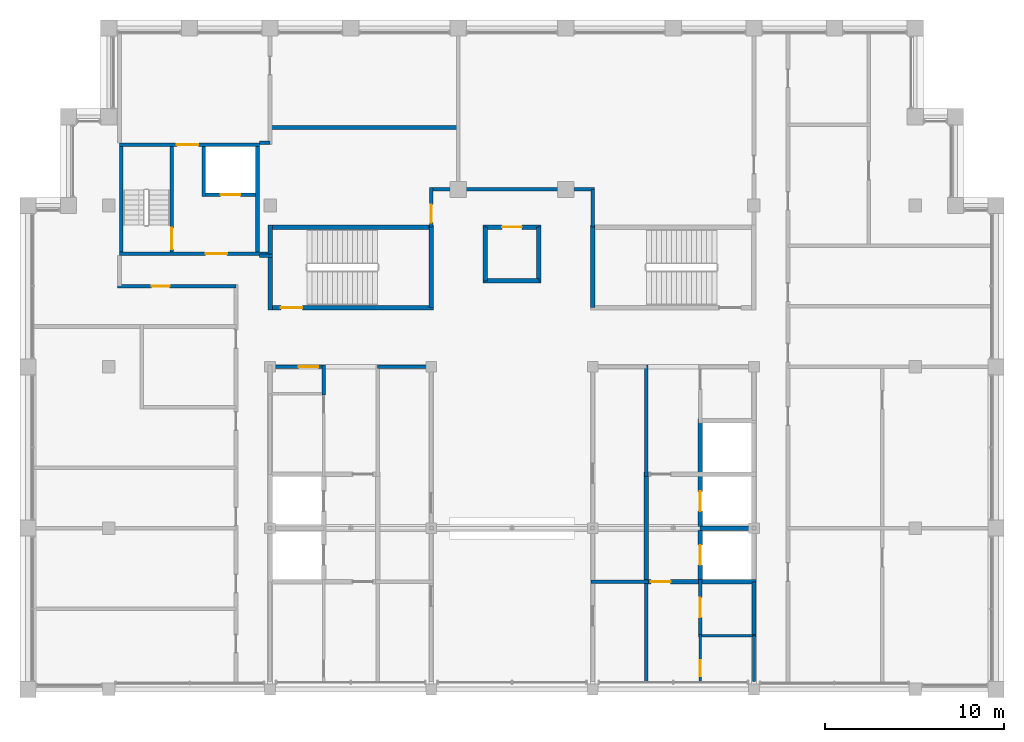
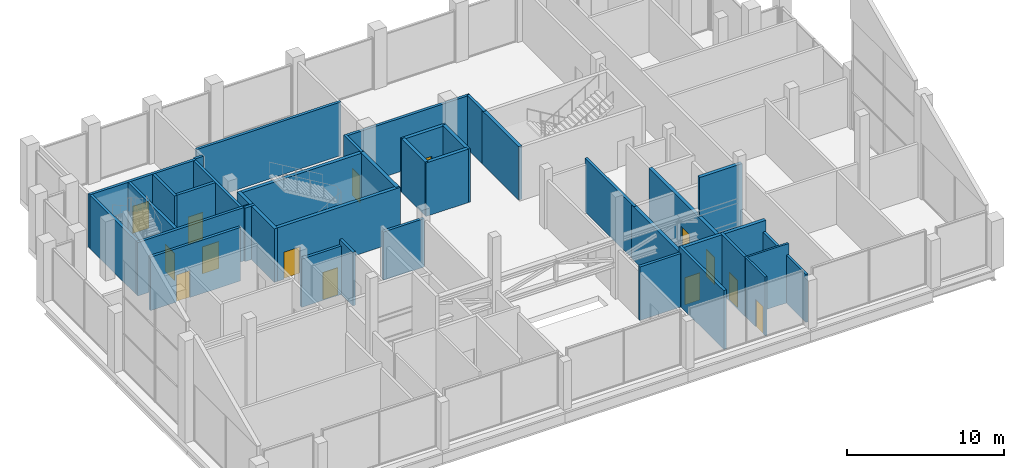
# One storey, part 11 of 14: 38 walls, 14 doors, 14 openings.
"""IFC4 building model written with IfcOpenShell, lengths in metres."""

from ifc_helpers import new_model, si_unit, direction, frame, frame_2d, origin, place, context, subcontext, project, spatial, rectangle, extrude, material, layer, layer_set, type_object, element, fill, save


model = new_model("IFC4")

# Units and contexts
model_context = context("Model", 3, precision=1e-05, world=origin(), true_north=direction((0.0, 1.0)))
body_context = subcontext(model_context, "Body", "Model", "MODEL_VIEW")
ifc_project = project(units=[si_unit("LENGTHUNIT", "METRE"), si_unit("AREAUNIT", "SQUARE_METRE"), si_unit("VOLUMEUNIT", "CUBIC_METRE"), si_unit("PLANEANGLEUNIT", "RADIAN"), si_unit("MASSUNIT", "GRAM", prefix="KILO")], contexts=[model_context])

# Site, building, storey
site_placement = place(None, origin())
site = spatial("IfcSite", under=ifc_project, at=site_placement, CompositionType="ELEMENT")
building_placement = place(site_placement, origin())
building = spatial("IfcBuilding", under=site, at=building_placement, Name="Corbelhall Arena Tower", CompositionType="ELEMENT")
storey_placement = place(building_placement, frame((0.0, 0.0, 376.0)))
storey = spatial("IfcBuildingStorey", under=building, at=storey_placement, Name="L81", CompositionType="ELEMENT", Elevation=376.0)

# Wall, opening, door
ifc_material_1 = material(Name="Gypsum board on steel stud, acoustic", Category="steel")
ifc_layer_1 = layer(ifc_material_1, 0.199951171875)
ifc_layer_set_1 = layer_set([ifc_layer_1], Name="IN-W-DM200")
wall_type_1 = type_object("IfcWallType", Name="IN-W-DM200", PredefinedType="PARTITIONING", material=ifc_layer_set_1)
wall_1_placement = place(storey_placement, frame((-15.39990234375, 13.5, 0.0), z_axis=(0.0, 0.0, 1.0), x_axis=(-1.0, 0.0, 0.0)))
wall_1 = element("IfcWall", 1, at=wall_1_placement, inside=storey, type_object=wall_type_1, Name="Partition 010", PredefinedType="PARTITIONING", context=body_context, shape_type="SweptSolid", body=[
    extrude(rectangle(XDim=6.60009765625, YDim=0.199951171875, at=frame_2d((3.300048828125, 0.0))), origin(), (0.0, 0.0, 1.0), 4.149658203125),
])
opening_1_placement = place(wall_1_placement, frame((3.699951171875, 0.0, 0.0)))
opening_1 = element("IfcOpeningElement", 2, at=opening_1_placement, cuts=wall_1, Name="Opening 35023", PredefinedType="OPENING", context=body_context, shape_type="SweptSolid", body=[
    extrude(rectangle(XDim=1.0, YDim=2.10009765625, at=frame_2d((0.5, 1.050048828125))), frame((0.0, 0.10009765625, 0.0), z_axis=(0.0, -1.0, 0.0), x_axis=(1.0, 0.0, 0.0)), (0.0, 0.0, 1.0), 0.199951171875),
])
ifc_material_2 = material(Name="Steel door set", Category="steel")
door_type_1 = type_object("IfcDoorType", Name="IN-D-SW100", OperationType="NOTDEFINED", PredefinedType="DOOR", material=ifc_material_2)
door_1_placement = place(opening_1_placement, origin())
door_1 = element("IfcDoor", 3, at=door_1_placement, inside=storey, type_object=door_type_1, Name="Door 023", OperationType="SINGLE_SWING_RIGHT", OverallHeight=2.10009765625, OverallWidth=1.0, PredefinedType="DOOR", context=body_context, shape_type="SweptSolid", body=[
    extrude(rectangle(XDim=1.0, YDim=2.10009765625, at=frame_2d((0.5, 1.050048828125))), frame((0.0, 0.02490234375, 0.0), z_axis=(0.0, -1.0, 0.0), x_axis=(1.0, 0.0, 0.0)), (0.0, 0.0, 1.0), 0.050048828125),
])
fill(opening_1, door_1)

# Walls
wall_2_placement = place(storey_placement, frame((-14.10009765625, 15.199951171875, 0.0), z_axis=(0.0, 0.0, 1.0), x_axis=(1.0, 0.0, 0.0)))
element("IfcWall", 4, at=wall_2_placement, inside=storey, type_object=wall_type_1, Name="Partition 011", PredefinedType="PARTITIONING", context=body_context, shape_type="SweptSolid", body=[
    extrude(rectangle(XDim=0.72509765625, YDim=0.199951171875, at=frame_2d((0.362548828125, 0.0))), origin(), (0.0, 0.0, 1.0), 4.149658203125),
])
wall_3_placement = place(storey_placement, frame((-13.5, 21.5, 0.0), z_axis=(0.0, 0.0, 1.0), x_axis=(-1.0, 0.0, 0.0)))
element("IfcWall", 5, at=wall_3_placement, inside=storey, type_object=wall_type_1, Name="Partition 012", PredefinedType="PARTITIONING", context=body_context, shape_type="SweptSolid", body=[
    extrude(rectangle(XDim=0.60009765625, YDim=0.199951171875, at=frame_2d((0.300048828125, 0.0))), origin(), (0.0, 0.0, 1.0), 4.149658203125),
])
wall_4_placement = place(storey_placement, frame((-13.5, 22.35009765625, 0.0), z_axis=(0.0, 0.0, 1.0), x_axis=(1.0, 0.0, 0.0)))
element("IfcWall", 6, at=wall_4_placement, inside=storey, type_object=wall_type_1, Name="Partition 013", PredefinedType="PARTITIONING", context=body_context, shape_type="SweptSolid", body=[
    extrude(rectangle(XDim=10.60009765625, YDim=0.199951171875, at=frame_2d((5.300048828125, 0.0))), origin(), (0.0, 0.0, 1.0), 4.149658203125),
])

# Wall, opening, door
wall_5_placement = place(storey_placement, frame((-4.5, 16.800048828125, 0.0), z_axis=(0.0, 0.0, 1.0), x_axis=(0.0, 1.0, 0.0)))
wall_5 = element("IfcWall", 7, at=wall_5_placement, inside=storey, type_object=wall_type_1, Name="Partition 015", PredefinedType="PARTITIONING", context=body_context, shape_type="SweptSolid", body=[
    extrude(rectangle(XDim=2.199951171875, YDim=0.199951171875, at=frame_2d((1.10009765625, 0.0))), origin(), (0.0, 0.0, 1.0), 4.149658203125),
])
opening_2_placement = place(wall_5_placement, frame((0.25, 0.0, 0.0)))
opening_2 = element("IfcOpeningElement", 8, at=opening_2_placement, cuts=wall_5, Name="Opening 35017", PredefinedType="OPENING", context=body_context, shape_type="SweptSolid", body=[
    extrude(rectangle(XDim=1.0, YDim=2.10009765625, at=frame_2d((0.5, 1.050048828125))), frame((0.0, 0.10009765625, 0.0), z_axis=(0.0, -1.0, 0.0), x_axis=(1.0, 0.0, 0.0)), (0.0, 0.0, 1.0), 0.199951171875),
])
door_2_placement = place(opening_2_placement, origin())
door_2 = element("IfcDoor", 9, at=door_2_placement, inside=storey, type_object=door_type_1, Name="Door 017", OperationType="SINGLE_SWING_RIGHT", OverallHeight=2.10009765625, OverallWidth=1.0, PredefinedType="DOOR", context=body_context, shape_type="SweptSolid", body=[
    extrude(rectangle(XDim=1.0, YDim=2.10009765625, at=frame_2d((0.5, 1.050048828125))), frame((0.0, 0.02490234375, 0.0), z_axis=(0.0, -1.0, 0.0), x_axis=(1.0, 0.0, 0.0)), (0.0, 0.0, 1.0), 0.050048828125),
])
fill(opening_2, door_2)

# Walls
wall_6_placement = place(storey_placement, frame((-4.5, 18.89990234375, 0.0), z_axis=(0.0, 0.0, 1.0), x_axis=(1.0, 0.0, 0.0)))
element("IfcWall", 10, at=wall_6_placement, inside=storey, type_object=wall_type_1, Name="Partition 016", PredefinedType="PARTITIONING", context=body_context, shape_type="SweptSolid", body=[
    extrude(rectangle(XDim=9.10009765625, YDim=0.199951171875, at=frame_2d((4.550048828125, 0.0))), origin(), (0.0, 0.0, 1.0), 4.149658203125),
])
wall_7_placement = place(storey_placement, frame((4.5, 18.89990234375, 0.0), z_axis=(0.0, 0.0, 1.0), x_axis=(0.0, -1.0, 0.0)))
element("IfcWall", 11, at=wall_7_placement, inside=storey, type_object=wall_type_1, Name="Partition 018", PredefinedType="PARTITIONING", context=body_context, shape_type="SweptSolid", body=[
    extrude(rectangle(XDim=2.099853515625, YDim=0.199951171875, at=frame_2d((1.0498046875, 0.0))), origin(), (0.0, 0.0, 1.0), 4.149658203125),
])

# Wall, opening, door
ifc_material_3 = material(Name="Concrete C40/50", Category="concrete")
ifc_layer_2 = layer(ifc_material_3, 0.199951171875)
ifc_layer_set_2 = layer_set([ifc_layer_2], Name="IN-W-EAR200")
wall_type_2 = type_object("IfcWallType", Name="IN-W-EAR200", PredefinedType="SOLIDWALL", material=ifc_layer_set_2)
wall_8_placement = place(storey_placement, frame((-21.89990234375, 15.300048828125, 0.0), z_axis=(0.0, 0.0, 1.0), x_axis=(1.0, 0.0, 0.0)))
wall_8 = element("IfcWall", 12, at=wall_8_placement, inside=storey, type_object=wall_type_2, Name="Fire service turret wall south", PredefinedType="SOLIDWALL", context=body_context, shape_type="SweptSolid", body=[
    extrude(rectangle(XDim=8.27490234375, YDim=0.199951171875, at=frame_2d((4.137451171875, 0.0))), origin(), (0.0, 0.0, 1.0), 4.149658203125),
])
opening_3_placement = place(wall_8_placement, frame((4.800048828125, 0.0, 0.0)))
opening_3 = element("IfcOpeningElement", 13, at=opening_3_placement, cuts=wall_8, Name="Opening E352", PredefinedType="OPENING", context=body_context, shape_type="SweptSolid", body=[
    extrude(rectangle(XDim=1.199951171875, YDim=2.10009765625, at=frame_2d((0.60009765625, 1.050048828125))), frame((0.0, 0.10009765625, 0.0), z_axis=(0.0, -1.0, 0.0), x_axis=(1.0, 0.0, 0.0)), (0.0, 0.0, 1.0), 0.199951171875),
])
door_type_2 = type_object("IfcDoorType", Name="IN-D-ST120", OperationType="NOTDEFINED", PredefinedType="DOOR", material=ifc_material_2)
door_3_placement = place(opening_3_placement, origin())
door_3 = element("IfcDoor", 14, at=door_3_placement, inside=storey, type_object=door_type_2, Name="Door from fire service lift lobby to circulation", OperationType="SINGLE_SWING_RIGHT", OverallHeight=2.10009765625, OverallWidth=1.199951171875, PredefinedType="DOOR", context=body_context, shape_type="SweptSolid", body=[
    extrude(rectangle(XDim=1.199951171875, YDim=2.10009765625, at=frame_2d((0.60009765625, 1.050048828125))), frame((0.0, 0.02490234375, 0.0), z_axis=(0.0, -1.0, 0.0), x_axis=(1.0, 0.0, 0.0)), (0.0, 0.0, 1.0), 0.050048828125),
])
fill(opening_3, door_3)

wall_9_placement = place(storey_placement, frame((-21.89990234375, 21.39990234375, 0.0), z_axis=(0.0, 0.0, 1.0), x_axis=(1.0, 0.0, 0.0)))
wall_9 = element("IfcWall", 15, at=wall_9_placement, inside=storey, type_object=wall_type_2, Name="Fire service turret wall north", PredefinedType="SOLIDWALL", context=body_context, shape_type="SweptSolid", body=[
    extrude(rectangle(XDim=7.7998046875, YDim=0.199951171875, at=frame_2d((3.89990234375, 0.0))), origin(), (0.0, 0.0, 1.0), 4.149658203125),
])
opening_4_placement = place(wall_9_placement, frame((3.199951171875, 0.0, 0.0)))
opening_4 = element("IfcOpeningElement", 16, at=opening_4_placement, cuts=wall_9, Name="Opening E353", PredefinedType="OPENING", context=body_context, shape_type="SweptSolid", body=[
    extrude(rectangle(XDim=1.199951171875, YDim=2.10009765625, at=frame_2d((0.60009765625, 1.050048828125))), frame((0.0, 0.10009765625, 0.0), z_axis=(0.0, -1.0, 0.0), x_axis=(1.0, 0.0, 0.0)), (0.0, 0.0, 1.0), 0.199951171875),
])
door_4_placement = place(opening_4_placement, origin())
door_4 = element("IfcDoor", 17, at=door_4_placement, inside=storey, type_object=door_type_2, Name="Door from fire service lift lobby to the north gallery", OperationType="SINGLE_SWING_LEFT", OverallHeight=2.10009765625, OverallWidth=1.199951171875, PredefinedType="DOOR", context=body_context, shape_type="SweptSolid", body=[
    extrude(rectangle(XDim=1.199951171875, YDim=2.10009765625, at=frame_2d((0.60009765625, 1.050048828125))), frame((0.0, 0.02490234375, 0.0), z_axis=(0.0, -1.0, 0.0), x_axis=(1.0, 0.0, 0.0)), (0.0, 0.0, 1.0), 0.050048828125),
])
fill(opening_4, door_4)

# Walls
for number, where, z_axis, x_axis, name in (
    (18, (-21.800048828125, 15.39990234375, 0.0), (0.0, 0.0, 1.0), (0.0, 1.0, 0.0), "Fire service turret wall west"),
    (19, (-14.199951171875, 15.39990234375, 0.0), (0.0, 0.0, 1.0), (0.0, 1.0, 0.0), "Fire service turret wall east"),
):
    element("IfcWall", number, at=place(storey_placement, frame(where, z_axis=z_axis, x_axis=x_axis)), inside=storey, type_object=wall_type_2, Name=name, PredefinedType="SOLIDWALL", context=body_context, shape_type="SweptSolid", body=[
        extrude(rectangle(XDim=5.900146484375, YDim=0.199951171875, at=frame_2d((2.9501953125, 0.0))), origin(), (0.0, 0.0, 1.0), 4.149658203125),
    ])

# Wall, opening, door
wall_10_placement = place(storey_placement, frame((-18.989990234375, 15.39990234375, 0.0), z_axis=(0.0, 0.0, 1.0), x_axis=(0.0, 1.0, 0.0)))
wall_10 = element("IfcWall", 20, at=wall_10_placement, inside=storey, type_object=wall_type_2, Name="Fire service turret wall stair", PredefinedType="SOLIDWALL", context=body_context, shape_type="SweptSolid", body=[
    extrude(rectangle(XDim=5.900146484375, YDim=0.199951171875, at=frame_2d((2.9501953125, 0.0))), origin(), (0.0, 0.0, 1.0), 4.149658203125),
])
opening_5_placement = place(wall_10_placement, frame((0.14990234375, 0.0, 0.0)))
opening_5 = element("IfcOpeningElement", 21, at=opening_5_placement, cuts=wall_10, Name="Opening E351", PredefinedType="OPENING", context=body_context, shape_type="SweptSolid", body=[
    extrude(rectangle(XDim=1.199951171875, YDim=2.10009765625, at=frame_2d((0.60009765625, 1.050048828125))), frame((0.0, 0.10009765625, 0.0), z_axis=(0.0, -1.0, 0.0), x_axis=(1.0, 0.0, 0.0)), (0.0, 0.0, 1.0), 0.199951171875),
])
door_5_placement = place(opening_5_placement, origin())
door_5 = element("IfcDoor", 22, at=door_5_placement, inside=storey, type_object=door_type_2, Name="Stair door to fire service lobby", OperationType="SINGLE_SWING_LEFT", OverallHeight=2.10009765625, OverallWidth=1.199951171875, PredefinedType="DOOR", context=body_context, shape_type="SweptSolid", body=[
    extrude(rectangle(XDim=1.199951171875, YDim=2.10009765625, at=frame_2d((0.60009765625, 1.050048828125))), frame((0.0, 0.02490234375, 0.0), z_axis=(0.0, -1.0, 0.0), x_axis=(1.0, 0.0, 0.0)), (0.0, 0.0, 1.0), 0.050048828125),
])
fill(opening_5, door_5)

# Wall
wall_11_placement = place(storey_placement, frame((-17.199951171875, 18.5, 0.0), z_axis=(0.0, 0.0, 1.0), x_axis=(0.0, 1.0, 0.0)))
element("IfcWall", 23, at=wall_11_placement, inside=storey, type_object=wall_type_2, Name="Fire service turret wall hoistway west", PredefinedType="SOLIDWALL", context=body_context, shape_type="SweptSolid", body=[
    extrude(rectangle(XDim=2.800048828125, YDim=0.199951171875, at=frame_2d((1.39990234375, 0.0))), origin(), (0.0, 0.0, 1.0), 4.149658203125),
])

# Wall, opening, door
wall_12_placement = place(storey_placement, frame((-17.10009765625, 18.60009765625, 0.0), z_axis=(0.0, 0.0, 1.0), x_axis=(1.0, 0.0, 0.0)))
wall_12 = element("IfcWall", 24, at=wall_12_placement, inside=storey, type_object=wall_type_2, Name="Fire service turret wall hoistway south", PredefinedType="SOLIDWALL", context=body_context, shape_type="SweptSolid", body=[
    extrude(rectangle(XDim=2.800048828125, YDim=0.199951171875, at=frame_2d((1.39990234375, 0.0))), origin(), (0.0, 0.0, 1.0), 4.149658203125),
])
opening_6_placement = place(wall_12_placement, frame((0.85009765625, 0.0, 0.0)))
opening_6 = element("IfcOpeningElement", 25, at=opening_6_placement, cuts=wall_12, Name="Opening LD", PredefinedType="OPENING", context=body_context, shape_type="SweptSolid", body=[
    extrude(rectangle(XDim=1.10009765625, YDim=2.10009765625, at=frame_2d((0.550048828125, 1.050048828125))), frame((0.0, 0.10009765625, 0.0), z_axis=(0.0, -1.0, 0.0), x_axis=(1.0, 0.0, 0.0)), (0.0, 0.0, 1.0), 0.199951171875),
])
door_type_3 = type_object("IfcDoorType", Name="IN-D-LD110", OperationType="NOTDEFINED", PredefinedType="DOOR", material=ifc_material_2)
door_6_placement = place(opening_6_placement, origin())
door_6 = element("IfcDoor", 26, at=door_6_placement, inside=storey, type_object=door_type_3, Name="Landing door FS1", OperationType="SLIDING_TO_LEFT", OverallHeight=2.10009765625, OverallWidth=1.10009765625, PredefinedType="DOOR", context=body_context, shape_type="SweptSolid", body=[
    extrude(rectangle(XDim=1.10009765625, YDim=2.10009765625, at=frame_2d((0.550048828125, 1.050048828125))), frame((0.0, 0.02490234375, 0.0), z_axis=(0.0, -1.0, 0.0), x_axis=(1.0, 0.0, 0.0)), (0.0, 0.0, 1.0), 0.050048828125),
])
fill(opening_6, door_6)

# Walls
ifc_material_4 = material(Name="Concrete block wall", Category="concrete")
ifc_layer_3 = layer(ifc_material_4, 0.199951171875)
ifc_layer_set_3 = layer_set([ifc_layer_3], Name="IN-W-RS200")
wall_type_3 = type_object("IfcWallType", Name="IN-W-RS200", PredefinedType="SOLIDWALL", material=ifc_layer_set_3)
wall_13_placement = place(storey_placement, frame((-10.5, 7.425048828125, 0.0), z_axis=(0.0, 0.0, 1.0), x_axis=(0.0, 1.0, 0.0)))
element("IfcWall", 27, at=wall_13_placement, inside=storey, type_object=wall_type_3, Name="Partition 030", PredefinedType="SOLIDWALL", context=body_context, shape_type="SweptSolid", body=[
    extrude(rectangle(XDim=1.675048828125, YDim=0.199951171875, at=frame_2d((0.83740234375, 0.0))), origin(), (0.0, 0.0, 1.0), 4.149658203125),
])
wall_14_placement = place(storey_placement, frame((4.39990234375, -3.0, 0.0), z_axis=(0.0, 0.0, 1.0), x_axis=(1.0, 0.0, 0.0)))
element("IfcWall", 28, at=wall_14_placement, inside=storey, type_object=wall_type_3, Name="Partition 036", PredefinedType="SOLIDWALL", context=body_context, shape_type="SweptSolid", body=[
    extrude(rectangle(XDim=3.22509765625, YDim=0.199951171875, at=frame_2d((1.612548828125, 0.0))), origin(), (0.0, 0.0, 1.0), 4.149658203125),
])
wall_15_placement = place(storey_placement, frame((7.5, -2.875, 0.0), z_axis=(0.0, 0.0, 1.0), x_axis=(0.0, -1.0, 0.0)))
element("IfcWall", 29, at=wall_15_placement, inside=storey, type_object=wall_type_3, Name="Partition 039", PredefinedType="SOLIDWALL", context=body_context, shape_type="SweptSolid", body=[
    extrude(rectangle(XDim=5.675048828125, YDim=0.199951171875, at=frame_2d((2.83740234375, 0.0))), origin(), (0.0, 0.0, 1.0), 4.566162109375),
])
wall_16_placement = place(storey_placement, frame((7.5, 9.10009765625, 0.0), z_axis=(0.0, 0.0, 1.0), x_axis=(0.0, -1.0, 0.0)))
element("IfcWall", 30, at=wall_16_placement, inside=storey, type_object=wall_type_3, Name="Partition 040", PredefinedType="SOLIDWALL", context=body_context, shape_type="SweptSolid", body=[
    extrude(rectangle(XDim=6.22509765625, YDim=0.199951171875, at=frame_2d((3.112548828125, 0.0))), origin(), (0.0, 0.0, 1.0), 4.149658203125),
])

# Wall, opening, door
wall_17_placement = place(storey_placement, frame((10.5, -2.875, 0.0), z_axis=(0.0, 0.0, 1.0), x_axis=(0.0, -1.0, 0.0)))
wall_17 = element("IfcWall", 31, at=wall_17_placement, inside=storey, type_object=wall_type_3, Name="Partition 041", PredefinedType="SOLIDWALL", context=body_context, shape_type="SweptSolid", body=[
    extrude(rectangle(XDim=3.199951171875, YDim=0.199951171875, at=frame_2d((1.60009765625, 0.0))), origin(), (0.0, 0.0, 1.0), 4.566162109375),
])
opening_7_placement = place(wall_17_placement, frame((1.0, 0.0, 0.0)))
opening_7 = element("IfcOpeningElement", 32, at=opening_7_placement, cuts=wall_17, Name="Opening 35013", PredefinedType="OPENING", context=body_context, shape_type="SweptSolid", body=[
    extrude(rectangle(XDim=1.10009765625, YDim=2.10009765625, at=frame_2d((0.550048828125, 1.050048828125))), frame((0.0, 0.10009765625, 0.0), z_axis=(0.0, -1.0, 0.0), x_axis=(1.0, 0.0, 0.0)), (0.0, 0.0, 1.0), 0.199951171875),
])
door_type_4 = type_object("IfcDoorType", Name="IN-D-FD110", OperationType="NOTDEFINED", PredefinedType="DOOR", material=ifc_material_2)
door_7_placement = place(opening_7_placement, origin())
door_7 = element("IfcDoor", 33, at=door_7_placement, inside=storey, type_object=door_type_4, Name="Door 013", OperationType="SINGLE_SWING_RIGHT", OverallHeight=2.10009765625, OverallWidth=1.10009765625, PredefinedType="DOOR", context=body_context, shape_type="SweptSolid", body=[
    extrude(rectangle(XDim=1.10009765625, YDim=2.10009765625, at=frame_2d((0.550048828125, 1.050048828125))), frame((0.0, 0.02490234375, 0.0), z_axis=(0.0, -1.0, 0.0), x_axis=(1.0, 0.0, 0.0)), (0.0, 0.0, 1.0), 0.050048828125),
])
fill(opening_7, door_7)

ifc_layer_4 = layer(ifc_material_4, 0.199951171875)
ifc_layer_set_4 = layer_set([ifc_layer_4], Name="IN-W-RS200 under beam 396 mm")
wall_type_4 = type_object("IfcWallType", Name="IN-W-RS200 under beam 396 mm", PredefinedType="SOLIDWALL", material=ifc_layer_set_4)
wall_18_placement = place(storey_placement, frame((-13.5, 9.0, 0.0), z_axis=(0.0, 0.0, 1.0), x_axis=(1.0, 0.0, 0.0)))
wall_18 = element("IfcWall", 34, at=wall_18_placement, inside=storey, type_object=wall_type_4, Name="Partition 029", PredefinedType="SOLIDWALL", context=body_context, shape_type="SweptSolid", body=[
    extrude(rectangle(XDim=3.0, YDim=0.199951171875, at=frame_2d((1.5, 0.0))), origin(), (0.0, 0.0, 1.0), 3.75390625),
])
opening_8_placement = place(wall_18_placement, frame((1.60009765625, 0.0, 0.0)))
opening_8 = element("IfcOpeningElement", 35, at=opening_8_placement, cuts=wall_18, Name="Opening 35007", PredefinedType="OPENING", context=body_context, shape_type="SweptSolid", body=[
    extrude(rectangle(XDim=1.10009765625, YDim=2.10009765625, at=frame_2d((0.550048828125, 1.050048828125))), frame((0.0, 0.10009765625, 0.0), z_axis=(0.0, -1.0, 0.0), x_axis=(1.0, 0.0, 0.0)), (0.0, 0.0, 1.0), 0.199951171875),
])
door_8_placement = place(opening_8_placement, origin())
door_8 = element("IfcDoor", 36, at=door_8_placement, inside=storey, type_object=door_type_4, Name="Door 007", OperationType="SINGLE_SWING_RIGHT", OverallHeight=2.10009765625, OverallWidth=1.10009765625, PredefinedType="DOOR", context=body_context, shape_type="SweptSolid", body=[
    extrude(rectangle(XDim=1.10009765625, YDim=2.10009765625, at=frame_2d((0.550048828125, 1.050048828125))), frame((0.0, 0.02490234375, 0.0), z_axis=(0.0, -1.0, 0.0), x_axis=(1.0, 0.0, 0.0)), (0.0, 0.0, 1.0), 0.050048828125),
])
fill(opening_8, door_8)

# Walls
wall_19_placement = place(storey_placement, frame((-7.5, 9.0, 0.0), z_axis=(0.0, 0.0, 1.0), x_axis=(1.0, 0.0, 0.0)))
element("IfcWall", 37, at=wall_19_placement, inside=storey, type_object=wall_type_4, Name="Partition 034", PredefinedType="SOLIDWALL", context=body_context, shape_type="SweptSolid", body=[
    extrude(rectangle(XDim=3.0, YDim=0.199951171875, at=frame_2d((1.5, 0.0))), origin(), (0.0, 0.0, 1.0), 3.75390625),
])
ifc_layer_5 = layer(ifc_material_4, 0.199951171875)
ifc_layer_set_5 = layer_set([ifc_layer_5], Name="IN-W-RS200 under beam 427 mm")
wall_type_5 = type_object("IfcWallType", Name="IN-W-RS200 under beam 427 mm", PredefinedType="SOLIDWALL", material=ifc_layer_set_5)
wall_20_placement = place(storey_placement, frame((13.5, -3.0, 0.0), z_axis=(0.0, 0.0, 1.0), x_axis=(0.0, -1.0, 0.0)))
element("IfcWall", 38, at=wall_20_placement, inside=storey, type_object=wall_type_5, Name="Partition 044", PredefinedType="SOLIDWALL", context=body_context, shape_type="SweptSolid", body=[
    extrude(rectangle(XDim=3.0, YDim=0.199951171875, at=frame_2d((1.5, 0.0))), origin(), (0.0, 0.0, 1.0), 3.722412109375),
])

# Wall, opening, door
ifc_layer_6 = layer(ifc_material_3, 0.25)
ifc_layer_set_6 = layer_set([ifc_layer_6], Name="IN-W-SH250")
wall_type_6 = type_object("IfcWallType", Name="IN-W-SH250", PredefinedType="SOLIDWALL", material=ifc_layer_set_6)
wall_21_placement = place(storey_placement, frame((-1.625, 16.800048828125, 0.0), z_axis=(0.0, 0.0, 1.0), x_axis=(1.0, 0.0, 0.0)))
wall_21 = element("IfcWall", 39, at=wall_21_placement, inside=storey, type_object=wall_type_6, Name="Shaft wall 052", PredefinedType="SOLIDWALL", context=body_context, shape_type="SweptSolid", body=[
    extrude(rectangle(XDim=3.25, YDim=0.25, at=frame_2d((1.625, 0.0))), origin(), (0.0, 0.0, 1.0), 4.149658203125),
])
opening_9_placement = place(wall_21_placement, frame((1.074951171875, 0.0, 0.0)))
opening_9 = element("IfcOpeningElement", 40, at=opening_9_placement, cuts=wall_21, Name="Opening LD", PredefinedType="OPENING", context=body_context, shape_type="SweptSolid", body=[
    extrude(rectangle(XDim=1.10009765625, YDim=2.10009765625, at=frame_2d((0.550048828125, 1.050048828125))), frame((0.0, 0.125, 0.0), z_axis=(0.0, -1.0, 0.0), x_axis=(1.0, 0.0, 0.0)), (0.0, 0.0, 1.0), 0.25),
])
door_9_placement = place(opening_9_placement, origin())
door_9 = element("IfcDoor", 41, at=door_9_placement, inside=storey, type_object=door_type_3, Name="Landing door C1", OperationType="SLIDING_TO_LEFT", OverallHeight=2.10009765625, OverallWidth=1.10009765625, PredefinedType="DOOR", context=body_context, shape_type="SweptSolid", body=[
    extrude(rectangle(XDim=1.10009765625, YDim=2.10009765625, at=frame_2d((0.550048828125, 1.050048828125))), frame((0.0, 0.02490234375, 0.0), z_axis=(0.0, -1.0, 0.0), x_axis=(1.0, 0.0, 0.0)), (0.0, 0.0, 1.0), 0.050048828125),
])
fill(opening_9, door_9)

# Walls
wall_22_placement = place(storey_placement, frame((-1.5, 13.800048828125, 0.0), z_axis=(0.0, 0.0, 1.0), x_axis=(0.0, 1.0, 0.0)))
element("IfcWall", 42, at=wall_22_placement, inside=storey, type_object=wall_type_6, Name="Shaft wall 053", PredefinedType="SOLIDWALL", context=body_context, shape_type="SweptSolid", body=[
    extrude(rectangle(XDim=3.0, YDim=0.25, at=frame_2d((1.5, 0.0))), origin(), (0.0, 0.0, 1.0), 4.149658203125),
])
for number, where, z_axis, x_axis, name in (
    (43, (1.5, 13.800048828125, 0.0), (0.0, 0.0, 1.0), (-1.0, 0.0, 0.0), "Shaft wall 054"),
    (44, (1.5, 16.800048828125, 0.0), (0.0, 0.0, 1.0), (0.0, -1.0, 0.0), "Shaft wall 055"),
):
    element("IfcWall", number, at=place(storey_placement, frame(where, z_axis=z_axis, x_axis=x_axis)), inside=storey, type_object=wall_type_6, Name=name, PredefinedType="SOLIDWALL", context=body_context, shape_type="SweptSolid", body=[
        extrude(rectangle(XDim=3.125, YDim=0.25, at=frame_2d((1.5625, 0.0))), origin(), (0.0, 0.0, 1.0), 4.149658203125),
    ])

# Wall, opening, door
wall_23_placement = place(storey_placement, frame((7.5, -3.0, 0.0), z_axis=(0.0, 0.0, 1.0), x_axis=(1.0, 0.0, 0.0)))
wall_23 = element("IfcWall", 45, at=wall_23_placement, inside=storey, type_object=wall_type_6, Name="Shaft wall 056", PredefinedType="SOLIDWALL", context=body_context, shape_type="SweptSolid", body=[
    extrude(rectangle(XDim=6.125, YDim=0.25, at=frame_2d((3.0625, 0.0))), origin(), (0.0, 0.0, 1.0), 4.566162109375),
])
opening_10_placement = place(wall_23_placement, frame((0.25, 0.0, 0.0)))
opening_10 = element("IfcOpeningElement", 46, at=opening_10_placement, cuts=wall_23, Name="Opening 35010", PredefinedType="OPENING", context=body_context, shape_type="SweptSolid", body=[
    extrude(rectangle(XDim=1.10009765625, YDim=2.10009765625, at=frame_2d((0.550048828125, 1.050048828125))), frame((0.0, 0.125, 0.0), z_axis=(0.0, -1.0, 0.0), x_axis=(1.0, 0.0, 0.0)), (0.0, 0.0, 1.0), 0.25),
])
door_10_placement = place(opening_10_placement, origin())
door_10 = element("IfcDoor", 47, at=door_10_placement, inside=storey, type_object=door_type_4, Name="Door 010", OperationType="SINGLE_SWING_LEFT", OverallHeight=2.10009765625, OverallWidth=1.10009765625, PredefinedType="DOOR", context=body_context, shape_type="SweptSolid", body=[
    extrude(rectangle(XDim=1.10009765625, YDim=2.10009765625, at=frame_2d((0.550048828125, 1.050048828125))), frame((0.0, 0.02490234375, 0.0), z_axis=(0.0, -1.0, 0.0), x_axis=(1.0, 0.0, 0.0)), (0.0, 0.0, 1.0), 0.050048828125),
])
fill(opening_10, door_10)

# Walls
wall_24_placement = place(storey_placement, frame((7.5, 3.125, 0.0), z_axis=(0.0, 0.0, 1.0), x_axis=(0.0, -1.0, 0.0)))
element("IfcWall", 48, at=wall_24_placement, inside=storey, type_object=wall_type_6, Name="Shaft wall 058", PredefinedType="SOLIDWALL", context=body_context, shape_type="SweptSolid", body=[
    extrude(rectangle(XDim=6.25, YDim=0.25, at=frame_2d((3.125, 0.0))), origin(), (0.0, 0.0, 1.0), 4.149658203125),
])
wall_25_placement = place(storey_placement, frame((10.5, 0.0, 0.0), z_axis=(0.0, 0.0, 1.0), x_axis=(1.0, 0.0, 0.0)))
element("IfcWall", 49, at=wall_25_placement, inside=storey, type_object=wall_type_6, Name="Shaft wall 059", PredefinedType="SOLIDWALL", context=body_context, shape_type="SweptSolid", body=[
    extrude(rectangle(XDim=3.125, YDim=0.25, at=frame_2d((1.5625, 0.0))), origin(), (0.0, 0.0, 1.0), 7.152099609375),
])

# Wall, openings, doors
wall_26_placement = place(storey_placement, frame((10.5, 6.125, 0.0), z_axis=(0.0, 0.0, 1.0), x_axis=(0.0, -1.0, 0.0)))
wall_26 = element("IfcWall", 50, at=wall_26_placement, inside=storey, type_object=wall_type_6, Name="Shaft wall 060", PredefinedType="SOLIDWALL", context=body_context, shape_type="SweptSolid", body=[
    extrude(rectangle(XDim=9.25, YDim=0.25, at=frame_2d((4.625, 0.0))), origin(), (0.0, 0.0, 1.0), 4.149658203125),
])
opening_11_placement = place(wall_26_placement, frame((7.074951171875, 0.0, 0.0)))
opening_11 = element("IfcOpeningElement", 51, at=opening_11_placement, cuts=wall_26, Name="Opening LD", PredefinedType="OPENING", context=body_context, shape_type="SweptSolid", body=[
    extrude(rectangle(XDim=1.10009765625, YDim=2.10009765625, at=frame_2d((0.550048828125, 1.050048828125))), frame((0.0, 0.125, 0.0), z_axis=(0.0, -1.0, 0.0), x_axis=(1.0, 0.0, 0.0)), (0.0, 0.0, 1.0), 0.25),
])
opening_12_placement = place(wall_26_placement, frame((4.074951171875, 0.0, 0.0)))
opening_12 = element("IfcOpeningElement", 52, at=opening_12_placement, cuts=wall_26, Name="Opening LD", PredefinedType="OPENING", context=body_context, shape_type="SweptSolid", body=[
    extrude(rectangle(XDim=1.10009765625, YDim=2.10009765625, at=frame_2d((0.550048828125, 1.050048828125))), frame((0.0, 0.125, 0.0), z_axis=(0.0, -1.0, 0.0), x_axis=(1.0, 0.0, 0.0)), (0.0, 0.0, 1.0), 0.25),
])
door_11_placement = place(opening_11_placement, origin())
door_11 = element("IfcDoor", 53, at=door_11_placement, inside=storey, type_object=door_type_3, Name="Landing door E3", OperationType="SLIDING_TO_LEFT", OverallHeight=2.10009765625, OverallWidth=1.10009765625, PredefinedType="DOOR", context=body_context, shape_type="SweptSolid", body=[
    extrude(rectangle(XDim=1.10009765625, YDim=2.10009765625, at=frame_2d((0.550048828125, 1.050048828125))), frame((0.0, 0.02490234375, 0.0), z_axis=(0.0, -1.0, 0.0), x_axis=(1.0, 0.0, 0.0)), (0.0, 0.0, 1.0), 0.050048828125),
])
fill(opening_11, door_11)
door_12_placement = place(opening_12_placement, origin())
door_12 = element("IfcDoor", 54, at=door_12_placement, inside=storey, type_object=door_type_3, Name="Landing door E4", OperationType="SLIDING_TO_LEFT", OverallHeight=2.10009765625, OverallWidth=1.10009765625, PredefinedType="DOOR", context=body_context, shape_type="SweptSolid", body=[
    extrude(rectangle(XDim=1.10009765625, YDim=2.10009765625, at=frame_2d((0.550048828125, 1.050048828125))), frame((0.0, 0.02490234375, 0.0), z_axis=(0.0, -1.0, 0.0), x_axis=(1.0, 0.0, 0.0)), (0.0, 0.0, 1.0), 0.050048828125),
])
fill(opening_12, door_12)

# Wall, opening, door
ifc_layer_7 = layer(ifc_material_3, 0.25)
ifc_layer_set_7 = layer_set([ifc_layer_7], Name="IN-W-ST250")
wall_type_7 = type_object("IfcWallType", Name="IN-W-ST250", PredefinedType="SOLIDWALL", material=ifc_layer_set_7)
wall_27_placement = place(storey_placement, frame((-13.5, 12.300048828125, 0.0), z_axis=(0.0, 0.0, 1.0), x_axis=(1.0, 0.0, 0.0)))
wall_27 = element("IfcWall", 55, at=wall_27_placement, inside=storey, type_object=wall_type_7, Name="Shaft wall 063", PredefinedType="SOLIDWALL", context=body_context, shape_type="SweptSolid", body=[
    extrude(rectangle(XDim=9.125, YDim=0.25, at=frame_2d((4.5625, 0.0))), origin(), (0.0, 0.0, 1.0), 4.149658203125),
])
opening_13_placement = place(wall_27_placement, frame((0.60009765625, 0.0, 0.0)))
opening_13 = element("IfcOpeningElement", 56, at=opening_13_placement, cuts=wall_27, Name="Opening 35015", PredefinedType="OPENING", context=body_context, shape_type="SweptSolid", body=[
    extrude(rectangle(XDim=1.199951171875, YDim=2.10009765625, at=frame_2d((0.60009765625, 1.050048828125))), frame((0.0, 0.125, 0.0), z_axis=(0.0, -1.0, 0.0), x_axis=(1.0, 0.0, 0.0)), (0.0, 0.0, 1.0), 0.25),
])
door_13_placement = place(opening_13_placement, origin())
door_13 = element("IfcDoor", 57, at=door_13_placement, inside=storey, type_object=door_type_2, Name="Door 015", OperationType="SINGLE_SWING_RIGHT", OverallHeight=2.10009765625, OverallWidth=1.199951171875, PredefinedType="DOOR", context=body_context, shape_type="SweptSolid", body=[
    extrude(rectangle(XDim=1.199951171875, YDim=2.10009765625, at=frame_2d((0.60009765625, 1.050048828125))), frame((0.0, 0.02490234375, 0.0), z_axis=(0.0, -1.0, 0.0), x_axis=(1.0, 0.0, 0.0)), (0.0, 0.0, 1.0), 0.050048828125),
])
fill(opening_13, door_13)

# Walls
wall_28_placement = place(storey_placement, frame((-13.5, 12.175048828125, 0.0), z_axis=(0.0, 0.0, 1.0), x_axis=(0.0, 1.0, 0.0)))
element("IfcWall", 58, at=wall_28_placement, inside=storey, type_object=wall_type_7, Name="Shaft wall 064", PredefinedType="SOLIDWALL", context=body_context, shape_type="SweptSolid", body=[
    extrude(rectangle(XDim=4.75, YDim=0.25, at=frame_2d((2.375, 0.0))), origin(), (0.0, 0.0, 1.0), 4.149658203125),
])
wall_29_placement = place(storey_placement, frame((-13.5, 16.800048828125, 0.0), z_axis=(0.0, 0.0, 1.0), x_axis=(1.0, 0.0, 0.0)))
element("IfcWall", 59, at=wall_29_placement, inside=storey, type_object=wall_type_7, Name="Shaft wall 065", PredefinedType="SOLIDWALL", context=body_context, shape_type="SweptSolid", body=[
    extrude(rectangle(XDim=9.10009765625, YDim=0.25, at=frame_2d((4.550048828125, 0.0))), origin(), (0.0, 0.0, 1.0), 4.149658203125),
])
for number, where, z_axis, x_axis, name in (
    (60, (-4.5, 16.925048828125, 0.0), (0.0, 0.0, 1.0), (0.0, -1.0, 0.0), "Shaft wall 066"),
    (61, (4.5, 12.300048828125, 0.0), (0.0, 0.0, 1.0), (0.0, 1.0, 0.0), "Shaft wall 069"),
):
    element("IfcWall", number, at=place(storey_placement, frame(where, z_axis=z_axis, x_axis=x_axis)), inside=storey, type_object=wall_type_7, Name=name, PredefinedType="SOLIDWALL", context=body_context, shape_type="SweptSolid", body=[
        extrude(rectangle(XDim=4.625, YDim=0.25, at=frame_2d((2.3125, 0.0))), origin(), (0.0, 0.0, 1.0), 4.149658203125),
    ])
ifc_material_5 = material(Name="Gypsum board on steel stud, moisture resistant", Category="steel")
ifc_layer_8 = layer(ifc_material_5, 0.14990234375)
ifc_layer_set_8 = layer_set([ifc_layer_8], Name="IN-W-WC150")
wall_type_8 = type_object("IfcWallType", Name="IN-W-WC150", PredefinedType="PARTITIONING", material=ifc_layer_set_8)
wall_30_placement = place(storey_placement, frame((10.5, -6.0, 0.0), z_axis=(0.0, 0.0, 1.0), x_axis=(1.0, 0.0, 0.0)))
element("IfcWall", 62, at=wall_30_placement, inside=storey, type_object=wall_type_8, Name="Partition 076", PredefinedType="PARTITIONING", context=body_context, shape_type="SweptSolid", body=[
    extrude(rectangle(XDim=3.10009765625, YDim=0.14990234375, at=frame_2d((1.550048828125, 0.0))), origin(), (0.0, 0.0, 1.0), 4.566162109375),
])

# Wall, opening, door
wall_31_placement = place(storey_placement, frame((10.5, -5.925048828125, 0.0), z_axis=(0.0, 0.0, 1.0), x_axis=(0.0, -1.0, 0.0)))
wall_31 = element("IfcWall", 63, at=wall_31_placement, inside=storey, type_object=wall_type_8, Name="Partition 077", PredefinedType="PARTITIONING", context=body_context, shape_type="SweptSolid", body=[
    extrude(rectangle(XDim=2.625, YDim=0.14990234375, at=frame_2d((1.3125, 0.0))), origin(), (0.0, 0.0, 1.0), 4.566162109375),
])
opening_14_placement = place(wall_31_placement, frame((1.449951171875, 0.0, 0.0)))
opening_14 = element("IfcOpeningElement", 64, at=opening_14_placement, cuts=wall_31, Name="Opening 35012", PredefinedType="OPENING", context=body_context, shape_type="SweptSolid", body=[
    extrude(rectangle(XDim=0.89990234375, YDim=2.10009765625, at=frame_2d((0.449951171875, 1.050048828125))), frame((0.0, 0.074951171875, 0.0), z_axis=(0.0, -1.0, 0.0), x_axis=(1.0, 0.0, 0.0)), (0.0, 0.0, 1.0), 0.14990234375),
])
ifc_material_6 = material(Name="Timber door set", Category="wood")
door_type_5 = type_object("IfcDoorType", Name="IN-D-SW90", OperationType="NOTDEFINED", PredefinedType="DOOR", material=ifc_material_6)
door_14_placement = place(opening_14_placement, origin())
door_14 = element("IfcDoor", 65, at=door_14_placement, inside=storey, type_object=door_type_5, Name="Door 012", OperationType="SINGLE_SWING_LEFT", OverallHeight=2.10009765625, OverallWidth=0.89990234375, PredefinedType="DOOR", context=body_context, shape_type="SweptSolid", body=[
    extrude(rectangle(XDim=0.89990234375, YDim=2.10009765625, at=frame_2d((0.449951171875, 1.050048828125))), frame((0.0, 0.02490234375, 0.0), z_axis=(0.0, -1.0, 0.0), x_axis=(1.0, 0.0, 0.0)), (0.0, 0.0, 1.0), 0.050048828125),
])
fill(opening_14, door_14)

# Wall
ifc_layer_9 = layer(ifc_material_5, 0.14990234375)
ifc_layer_set_9 = layer_set([ifc_layer_9], Name="IN-W-WC150 under beam 427 mm")
wall_type_9 = type_object("IfcWallType", Name="IN-W-WC150 under beam 427 mm", PredefinedType="PARTITIONING", material=ifc_layer_set_9)
wall_32_placement = place(storey_placement, frame((13.5, -6.0, 0.0), z_axis=(0.0, 0.0, 1.0), x_axis=(0.0, -1.0, 0.0)))
element("IfcWall", 66, at=wall_32_placement, inside=storey, type_object=wall_type_9, Name="Partition 078", PredefinedType="PARTITIONING", context=body_context, shape_type="SweptSolid", body=[
    extrude(rectangle(XDim=2.550048828125, YDim=0.14990234375, at=frame_2d((1.27490234375, 0.0))), origin(), (0.0, 0.0, 1.0), 3.722412109375),
])

save(model, "model.ifc")
